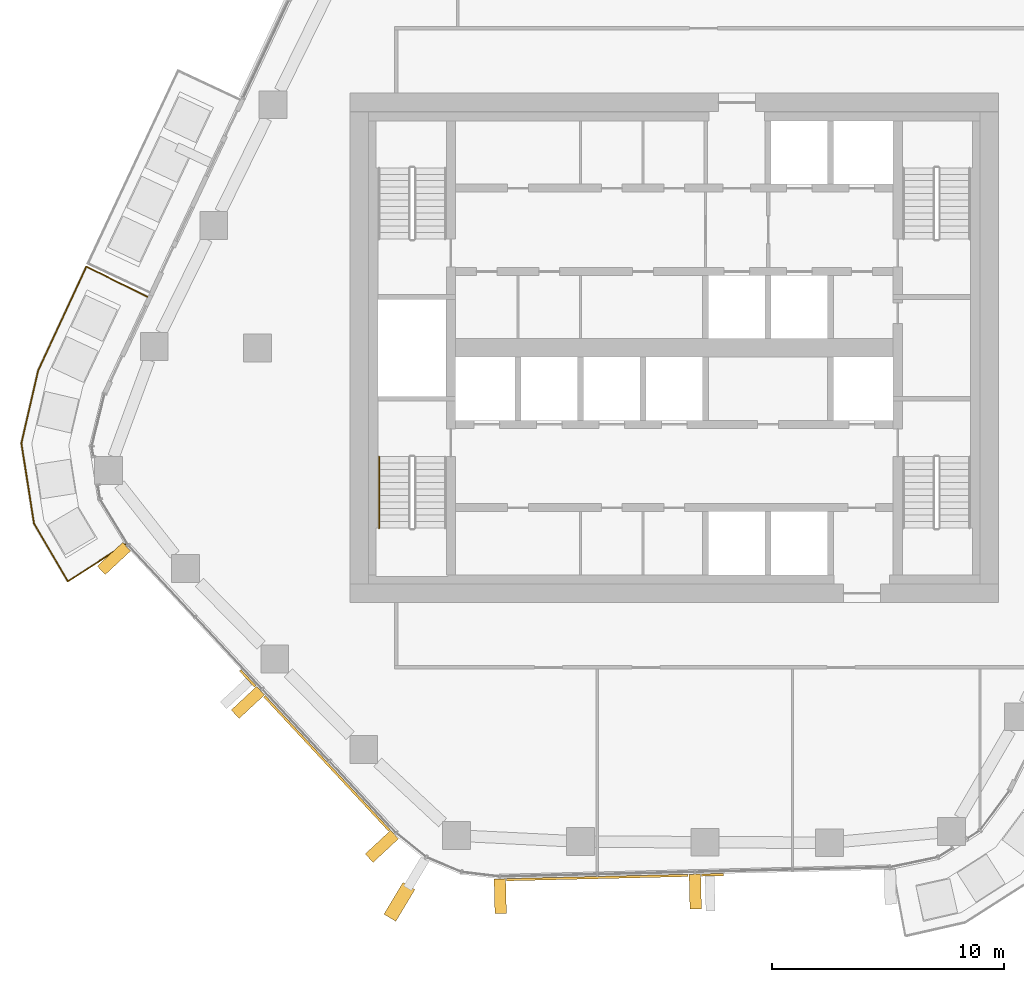
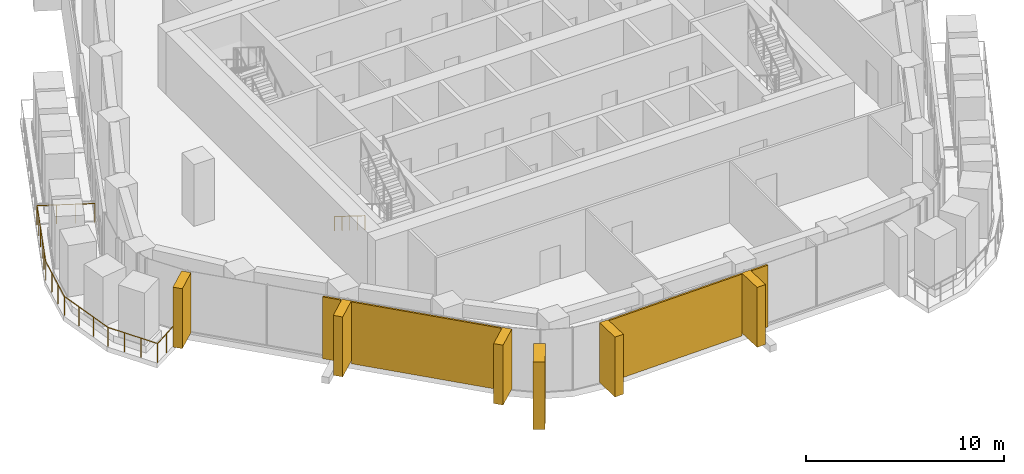
# One storey, part 14 of 17: 10 coverings, 2 railings, 3 elements without a shape of their own.
"""IFC4 building model written with IfcOpenShell, lengths in metres."""

from ifc_helpers import new_model, si_unit, direction, frame, origin, origin_2d, place, context, subcontext, project, spatial, rectangle, circle, extrude, material, layer, layer_set, material_profile, profile_set, type_object, element, aggregate, save


model = new_model("IFC4")

# Units and contexts
model_context = context("Model", 3, precision=1e-05, world=origin(), true_north=direction((0.0, 1.0)))
body_context = subcontext(model_context, "Body", "Model", "MODEL_VIEW")
ifc_project = project(units=[si_unit("LENGTHUNIT", "METRE"), si_unit("AREAUNIT", "SQUARE_METRE"), si_unit("VOLUMEUNIT", "CUBIC_METRE"), si_unit("PLANEANGLEUNIT", "RADIAN"), si_unit("MASSUNIT", "GRAM", prefix="KILO")], contexts=[model_context])

# Site, building, storey
site_placement = place(None, origin())
site = spatial("IfcSite", under=ifc_project, at=site_placement, CompositionType="ELEMENT")
building_placement = place(site_placement, origin())
building = spatial("IfcBuilding", under=site, at=building_placement, Name="Dongbaek Canopy Tower", CompositionType="ELEMENT")
storey_placement = place(building_placement, frame((0.0, 0.0, 211.39990234375)))
storey = spatial("IfcBuildingStorey", under=building, at=storey_placement, Name="L44", CompositionType="ELEMENT", Elevation=211.39990234375)

# Railing
ifc_material_1 = material(Name="Stainless steel", Category="steel")
railing_type_1 = type_object("IfcRailingType", Name="Balcony balustrade 1200", PredefinedType="BALUSTRADE", material=ifc_material_1)
railing_1_placement = place(storey_placement, frame((-22.75439453125, 2.209716796875, 0.0)))
element("IfcRailing", 1, at=railing_1_placement, inside=storey, type_object=railing_type_1, Name="Balcony guard L44 3", PredefinedType="BALUSTRADE", context=body_context, shape_type="SweptSolid", body=[
    extrude(circle(Radius=0.02392578125, at=origin_2d()), frame((0.0, 0.0, 1.17578125), z_axis=(-0.896723297987, 0.442591602775, 0.0), x_axis=(-0.442591602775, -0.896723297987, 0.0)), (0.0, 0.0, 1.0), 2.940673828125),
    extrude(circle(Radius=0.02392578125, at=origin_2d()), frame((-2.636962890625, 1.301513671875, 1.17578125), z_axis=(-0.421535178466, -0.906812049609, 0.0), x_axis=(0.906812049609, -0.421535178466, 0.0)), (0.0, 0.0, 1.0), 4.94091796875),
    extrude(circle(Radius=0.02392578125, at=origin_2d()), frame((-4.7197265625, -3.178955078125, 1.17578125), z_axis=(-0.224776679073, -0.974410306054, 0.0), x_axis=(0.974410306054, -0.224776679073, 0.0)), (0.0, 0.0, 1.0), 3.22900390625),
    extrude(circle(Radius=0.02392578125, at=origin_2d()), frame((-5.445556640625, -6.325439453125, 1.17578125), z_axis=(0.155181690335, -0.987885946344, 0.0), x_axis=(0.987885946344, 0.155181690335, 0.0)), (0.0, 0.0, 1.0), 3.51611328125),
    extrude(circle(Radius=0.02392578125, at=origin_2d()), frame((-4.89990234375, -9.799072265625, 1.17578125), z_axis=(0.507093994435, -0.861890759208, 0.0), x_axis=(0.861890759208, 0.507093994435, 0.0)), (0.0, 0.0, 1.0), 2.888671875),
    extrude(circle(Radius=0.02392578125, at=origin_2d()), frame((-3.43505859375, -12.288818359375, 1.17578125), z_axis=(0.840770915974, 0.541391047997, 0.0), x_axis=(-0.541391047997, 0.840770915974, 0.0)), (0.0, 0.0, 1.0), 2.940673828125),
    extrude(circle(Radius=0.02099609375, at=origin_2d()), origin(), (0.0, 0.0, 1.0), 1.15185546875),
    extrude(circle(Radius=0.02099609375, at=origin_2d()), frame((-0.87890625, 0.433837890625, 0.0)), (0.0, 0.0, 1.0), 1.15185546875),
    extrude(circle(Radius=0.02099609375, at=origin_2d()), frame((-1.758056640625, 0.86767578125, 0.0)), (0.0, 0.0, 1.0), 1.15185546875),
    extrude(circle(Radius=0.02099609375, at=origin_2d()), frame((-2.636962890625, 1.301513671875, 0.0)), (0.0, 0.0, 1.0), 1.15185546875),
    extrude(circle(Radius=0.02099609375, at=origin_2d()), frame((-3.053466796875, 0.405517578125, 0.0)), (0.0, 0.0, 1.0), 1.15185546875),
    extrude(circle(Radius=0.02099609375, at=origin_2d()), frame((-3.469970703125, -0.49072265625, 0.0)), (0.0, 0.0, 1.0), 1.15185546875),
    extrude(circle(Radius=0.02099609375, at=origin_2d()), frame((-3.88671875, -1.38671875, 0.0)), (0.0, 0.0, 1.0), 1.15185546875),
    extrude(circle(Radius=0.02099609375, at=origin_2d()), frame((-4.30322265625, -2.282958984375, 0.0)), (0.0, 0.0, 1.0), 1.15185546875),
    extrude(circle(Radius=0.02099609375, at=origin_2d()), frame((-4.7197265625, -3.178955078125, 0.0)), (0.0, 0.0, 1.0), 1.15185546875),
    extrude(circle(Radius=0.02099609375, at=origin_2d()), frame((-4.961669921875, -4.227783203125, 0.0)), (0.0, 0.0, 1.0), 1.15185546875),
    extrude(circle(Radius=0.02099609375, at=origin_2d()), frame((-5.20361328125, -5.276611328125, 0.0)), (0.0, 0.0, 1.0), 1.15185546875),
    extrude(circle(Radius=0.02099609375, at=origin_2d()), frame((-5.445556640625, -6.325439453125, 0.0)), (0.0, 0.0, 1.0), 1.15185546875),
    extrude(circle(Radius=0.02099609375, at=origin_2d()), frame((-5.263671875, -7.4833984375, 0.0)), (0.0, 0.0, 1.0), 1.15185546875),
    extrude(circle(Radius=0.02099609375, at=origin_2d()), frame((-5.081787109375, -8.64111328125, 0.0)), (0.0, 0.0, 1.0), 1.15185546875),
    extrude(circle(Radius=0.02099609375, at=origin_2d()), frame((-4.89990234375, -9.799072265625, 0.0)), (0.0, 0.0, 1.0), 1.15185546875),
    extrude(circle(Radius=0.02099609375, at=origin_2d()), frame((-4.41162109375, -10.62890625, 0.0)), (0.0, 0.0, 1.0), 1.15185546875),
    extrude(circle(Radius=0.02099609375, at=origin_2d()), frame((-3.92333984375, -11.458984375, 0.0)), (0.0, 0.0, 1.0), 1.15185546875),
    extrude(circle(Radius=0.02099609375, at=origin_2d()), frame((-3.43505859375, -12.288818359375, 0.0)), (0.0, 0.0, 1.0), 1.15185546875),
    extrude(circle(Radius=0.02099609375, at=origin_2d()), frame((-2.61083984375, -11.758056640625, 0.0)), (0.0, 0.0, 1.0), 1.15185546875),
    extrude(circle(Radius=0.02099609375, at=origin_2d()), frame((-1.786865234375, -11.2275390625, 0.0)), (0.0, 0.0, 1.0), 1.15185546875),
    extrude(circle(Radius=0.02099609375, at=origin_2d()), frame((-0.962646484375, -10.69677734375, 0.0)), (0.0, 0.0, 1.0), 1.15185546875),
])

# Curtain wall, covering
ifc_material_2 = material(Name="Aluminium 6063-T6 pale anodised", Category="aluminium")
ifc_layer_1 = layer(ifc_material_2, 0.199951171875)
ifc_layer_set_1 = layer_set([ifc_layer_1], Name="CW-1 unitised tower curtain wall")
curtain_wall_type = type_object("IfcCurtainWallType", Name="CW-1 unitised tower curtain wall", PredefinedType="NOTDEFINED", material=ifc_layer_set_1)
curtain_wall_1_placement = place(storey_placement, origin())
curtain_wall_1 = element("IfcCurtainWall", 2, at=curtain_wall_1_placement, inside=storey, type_object=curtain_wall_type, Name="CW-1 curtain wall K4.1", PredefinedType="NOTDEFINED")
ifc_material_3 = material(Name="Aluminium 6063-T6 pale metal fin", Category="aluminium")
ifc_material_profile_1 = material_profile(ifc_material_3, rectangle(XDim=1.60009765625, YDim=0.60009765625, at=origin_2d()), Name="Corner fin CN1 600 x 1600 pale metal")
ifc_profile_set_1 = profile_set([ifc_material_profile_1], Name="Aluminium 6063-T6 pale metal fin")
covering_type_1 = type_object("IfcCoveringType", Name="Corner fin CN1 600 x 1600 pale metal", PredefinedType="CLADDING", material=ifc_profile_set_1)
covering_1_placement = place(storey_placement, frame((-11.87158203125, -23.92626953125, -0.18994140625), z_axis=(0.0, 0.0, 1.0), x_axis=(-0.513679025169, -0.857982435194, 0.0)))
covering_1 = element("IfcCovering", 3, at=covering_1_placement, type_object=covering_type_1, Name="Corner fin L44 L44 K4", PredefinedType="CLADDING", context=body_context, shape_type="SweptSolid", body=[
    extrude(rectangle(XDim=1.60009765625, YDim=0.60009765625, at=origin_2d()), origin(), (0.0, 0.0, 1.0), 4.179931640625),
])
aggregate(curtain_wall_1, [covering_1])

# Curtain wall, coverings
curtain_wall_2_placement = place(storey_placement, origin())
curtain_wall_2 = element("IfcCurtainWall", 4, at=curtain_wall_2_placement, inside=storey, type_object=curtain_wall_type, Name="CW-1 curtain wall F3.1", PredefinedType="NOTDEFINED")
ifc_material_4 = material(Name="Perforated aluminium 6063-T6 pale metal screen", Category="aluminium")
ifc_layer_2 = layer(ifc_material_4, 0.10009765625)
ifc_layer_set_2 = layer_set([ifc_layer_2], Name="Facet screen FS1 100 pale metal")
covering_type_2 = type_object("IfcCoveringType", Name="Facet screen FS1 100 pale metal", PredefinedType="CLADDING", material=ifc_layer_set_2)
covering_2_placement = place(storey_placement, frame((-18.423828125, -14.27197265625, 0.0), z_axis=(0.0, 0.0, 1.0), x_axis=(0.681396920327, -0.731914091249, 0.0)))
covering_2 = element("IfcCovering", 5, at=covering_2_placement, type_object=covering_type_2, Name="Facet screen L44 F3", PredefinedType="CLADDING", context=body_context, shape_type="SweptSolid", body=[
    extrude(rectangle(XDim=0.952392578125, YDim=0.10009765625, at=origin_2d()), origin(), (0.0, 0.0, 1.0), 3.820068359375),
])
covering_3_placement = place(storey_placement, frame((-15.00830078125, -17.940673828125, 0.0), z_axis=(0.0, 0.0, 1.0), x_axis=(0.681396920327, -0.731914091249, 0.0)))
covering_3 = element("IfcCovering", 6, at=covering_3_placement, type_object=covering_type_2, Name="Facet screen L44 F3", PredefinedType="CLADDING", context=body_context, shape_type="SweptSolid", body=[
    extrude(rectangle(XDim=7.912109375, YDim=0.10009765625, at=origin_2d()), origin(), (0.0, 0.0, 1.0), 3.820068359375),
])

curtain_wall_3_placement = place(storey_placement, origin())
curtain_wall_3 = element("IfcCurtainWall", 7, at=curtain_wall_3_placement, inside=storey, type_object=curtain_wall_type, Name="CW-1 curtain wall F4.1", PredefinedType="NOTDEFINED")
covering_4_placement = place(storey_placement, frame((-3.322509765625, -22.87744140625, 0.0), z_axis=(0.0, 0.0, 1.0), x_axis=(0.999715562415, 0.023849408078, 0.0)))
covering_4 = element("IfcCovering", 8, at=covering_4_placement, type_object=covering_type_2, Name="Facet screen L44 F4", PredefinedType="CLADDING", context=body_context, shape_type="SweptSolid", body=[
    extrude(rectangle(XDim=7.845458984375, YDim=0.10009765625, at=origin_2d()), origin(), (0.0, 0.0, 1.0), 3.820068359375),
])
covering_5_placement = place(storey_placement, frame((1.655517578125, -22.7587890625, 0.0), z_axis=(0.0, 0.0, 1.0), x_axis=(0.999715562415, 0.023849408078, 0.0)))
covering_5 = element("IfcCovering", 9, at=covering_5_placement, type_object=covering_type_2, Name="Facet screen L44 F4", PredefinedType="CLADDING", context=body_context, shape_type="SweptSolid", body=[
    extrude(rectangle(XDim=0.953125, YDim=0.10009765625, at=origin_2d()), origin(), (0.0, 0.0, 1.0), 3.820068359375),
])

# Covering
ifc_material_5 = material(Name="Aluminium 6063-T6 pale metal fin", Category="aluminium")
ifc_material_profile_2 = material_profile(ifc_material_5, rectangle(XDim=1.5, YDim=0.5, at=origin_2d()), Name="Fin FN1 500 x 1500 pale metal")
ifc_profile_set_2 = profile_set([ifc_material_profile_2], Name="Aluminium 6063-T6 pale metal fin")
covering_type_3 = type_object("IfcCoveringType", Name="Fin FN1 500 x 1500 pale metal", PredefinedType="CLADDING", material=ifc_profile_set_2)
covering_6_placement = place(storey_placement, frame((-24.20166015625, -9.098876953125, 0.1201171875), z_axis=(0.0, 0.0, 1.0), x_axis=(-0.73191359076, -0.681397457921, 0.0)))
covering_6 = element("IfcCovering", 10, at=covering_6_placement, type_object=covering_type_3, Name="Fin F3.1.1", PredefinedType="CLADDING", context=body_context, shape_type="SweptSolid", body=[
    extrude(rectangle(XDim=1.5, YDim=0.5, at=origin_2d()), origin(), (0.0, 0.0, 1.0), 3.699951171875),
])

covering_7_placement = place(storey_placement, frame((-18.4169921875, -15.3125, 0.1201171875), z_axis=(0.0, 0.0, 1.0), x_axis=(-0.73191359076, -0.681397457921, 0.0)))
covering_7 = element("IfcCovering", 11, at=covering_7_placement, type_object=covering_type_3, Name="Fin F3.1.3", PredefinedType="CLADDING", context=body_context, shape_type="SweptSolid", body=[
    extrude(rectangle(XDim=1.5, YDim=0.5, at=origin_2d()), origin(), (0.0, 0.0, 1.0), 3.699951171875),
])

covering_8_placement = place(storey_placement, frame((-12.63037109375, -21.528076171875, 0.1201171875), z_axis=(0.0, 0.0, 1.0), x_axis=(-0.73191359076, -0.681397457921, 0.0)))
covering_8 = element("IfcCovering", 12, at=covering_8_placement, type_object=covering_type_3, Name="Fin F3.1.5", PredefinedType="CLADDING", context=body_context, shape_type="SweptSolid", body=[
    extrude(rectangle(XDim=1.5, YDim=0.5, at=origin_2d()), origin(), (0.0, 0.0, 1.0), 3.699951171875),
])

aggregate(curtain_wall_2, [covering_6, covering_7, covering_8, covering_2, covering_3])

covering_9_placement = place(storey_placement, frame((-7.51708984375, -23.681640625, 0.1201171875), z_axis=(0.0, 0.0, 1.0), x_axis=(0.023848776152, -0.99971557749, 0.0)))
covering_9 = element("IfcCovering", 13, at=covering_9_placement, type_object=covering_type_3, Name="Fin F4.1.1", PredefinedType="CLADDING", context=body_context, shape_type="SweptSolid", body=[
    extrude(rectangle(XDim=1.5, YDim=0.5, at=origin_2d()), origin(), (0.0, 0.0, 1.0), 3.699951171875),
])

covering_10_placement = place(storey_placement, frame((0.906005859375, -23.480712890625, 0.1201171875), z_axis=(0.0, 0.0, 1.0), x_axis=(0.023848776152, -0.99971557749, 0.0)))
covering_10 = element("IfcCovering", 14, at=covering_10_placement, type_object=covering_type_3, Name="Fin F4.1.3", PredefinedType="CLADDING", context=body_context, shape_type="SweptSolid", body=[
    extrude(rectangle(XDim=1.5, YDim=0.5, at=origin_2d()), origin(), (0.0, 0.0, 1.0), 3.699951171875),
])

aggregate(curtain_wall_3, [covering_9, covering_10, covering_4, covering_5])

# Railing
ifc_material_6 = material(Name="Stainless steel tube", Category="steel")
railing_type_2 = type_object("IfcRailingType", Name="Stair handrail 900", PredefinedType="HANDRAIL", material=ifc_material_6)
railing_2_placement = place(storey_placement, frame((-12.75, -4.699951171875, 0.175048828125)))
element("IfcRailing", 15, at=railing_2_placement, inside=storey, type_object=railing_type_2, Name="L44 ST-D stair handrail 1", PredefinedType="HANDRAIL", context=body_context, shape_type="SweptSolid", body=[
    extrude(circle(Radius=0.02392578125, at=origin_2d()), frame((0.0, 0.0, 0.8759765625), z_axis=(0.0, -0.847998304005, 0.529998940003), x_axis=(1.0, 0.0, 0.0)), (0.0, 0.0, 1.0), 3.632080078125),
    extrude(circle(Radius=0.02099609375, at=origin_2d()), origin(), (0.0, 0.0, 1.0), 0.851806640625),
    extrude(circle(Radius=0.02099609375, at=origin_2d()), frame((0.0, -0.77001953125, 0.481201171875)), (0.0, 0.0, 1.0), 0.851806640625),
    extrude(circle(Radius=0.02099609375, at=origin_2d()), frame((0.0, -1.5400390625, 0.96240234375)), (0.0, 0.0, 1.0), 0.851806640625),
    extrude(circle(Radius=0.02099609375, at=origin_2d()), frame((0.0, -2.31005859375, 1.44384765625)), (0.0, 0.0, 1.0), 0.851806640625),
    extrude(circle(Radius=0.02099609375, at=origin_2d()), frame((0.0, -3.080078125, 1.925048828125)), (0.0, 0.0, 1.0), 0.851806640625),
])

save(model, "model.ifc")
